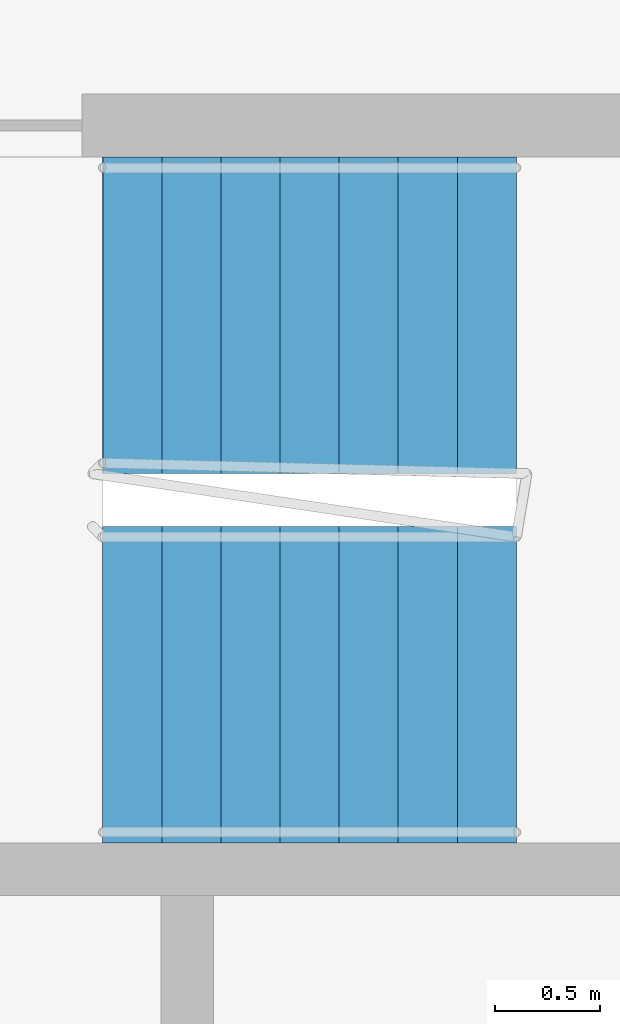
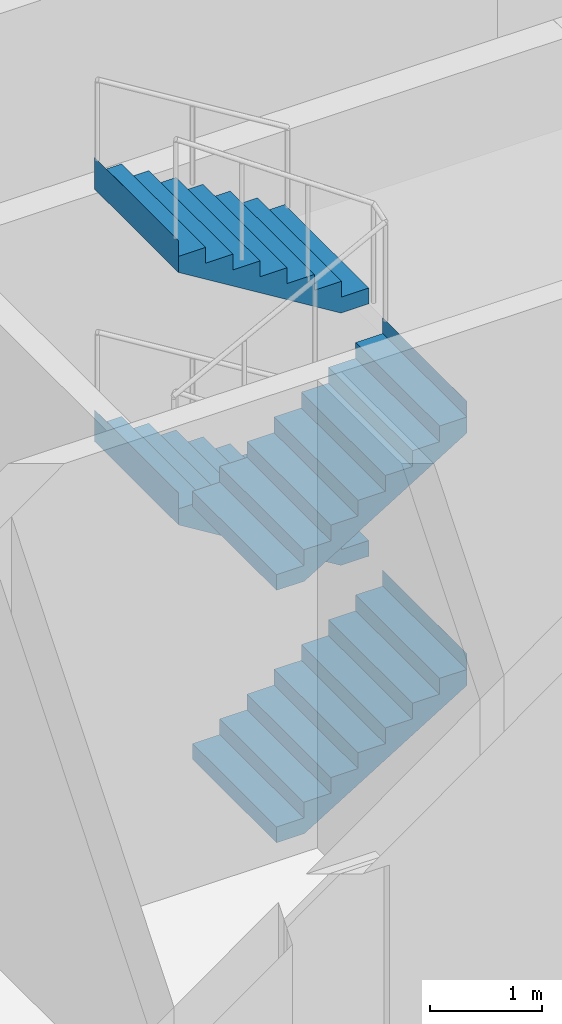
# One storey, part 13 of 16: 4 stair flights, 1 element without a shape of its own.
"""IFC4 building model written with IfcOpenShell, lengths in metres."""

from ifc_helpers import new_model, si_unit, direction, frame, origin, place, context, subcontext, project, spatial, faceted_brep, material, type_object, element, aggregate, save


model = new_model("IFC4")

# Units and contexts
model_context = context("Model", 3, precision=1e-05, world=origin(), true_north=direction((0.0, 1.0)))
body_context = subcontext(model_context, "Body", "Model", "MODEL_VIEW")
ifc_project = project(units=[si_unit("LENGTHUNIT", "METRE"), si_unit("AREAUNIT", "SQUARE_METRE"), si_unit("VOLUMEUNIT", "CUBIC_METRE"), si_unit("PLANEANGLEUNIT", "RADIAN"), si_unit("MASSUNIT", "GRAM", prefix="KILO")], contexts=[model_context])

# Site, building, storey
site_placement = place(None, origin())
site = spatial("IfcSite", under=ifc_project, at=site_placement, CompositionType="ELEMENT")
building_placement = place(site_placement, origin())
building = spatial("IfcBuilding", under=site, at=building_placement, Name="Kajstack Hotel Tower", CompositionType="ELEMENT")
storey_placement = place(building_placement, frame((0.0, 0.0, 308.10009765625)))
storey = spatial("IfcBuildingStorey", under=building, at=storey_placement, Name="L78", CompositionType="ELEMENT", Elevation=308.10009765625)

# Stair, stair flights
ifc_material = material(Name="Concrete C40/50", Category="concrete")
stair_type = type_object("IfcStairType", Name="Exit stair 1500", PredefinedType="HALF_TURN_STAIR", material=ifc_material)
stair_placement = place(storey_placement, origin())
stair = element("IfcStair", 1, at=stair_placement, inside=storey, type_object=stair_type, Name="L78 stair E3", PredefinedType="HALF_TURN_STAIR")
stair_flight_type = type_object("IfcStairFlightType", Name="Exit stair flight 1500", PredefinedType="STRAIGHT", material=ifc_material)
stair_flight_1_placement = place(storey_placement, frame((25.699951171875, 12.699951171875, 0.0), z_axis=(0.0, 0.0, 1.0), x_axis=(1.0, 0.0, 0.0)))
stair_flight_1 = element("IfcStairFlight", 2, at=stair_flight_1_placement, type_object=stair_flight_type, Name="E3 flight 1", NumberOfRisers=8, NumberOfTreads=7, PredefinedType="STRAIGHT", RiserHeight=0.171875, TreadLength=0.28, context=body_context, shape_type="Brep", body=[
    faceted_brep([(0.287109375, -0.75, 0.0), (1.96044921875, -0.75, 1.02734375), (1.96044921875, -0.75, 1.375), (1.9599609375, -0.75, 1.375), (1.9599609375, -0.75, 1.203125), (1.679931640625, -0.75, 1.203125), (1.679931640625, -0.75, 1.03125), (1.39990234375, -0.75, 1.03125), (1.39990234375, -0.75, 0.859375), (1.1201171875, -0.75, 0.859375), (1.1201171875, -0.75, 0.6875), (0.840087890625, -0.75, 0.6875), (0.840087890625, -0.75, 0.515625), (0.56005859375, -0.75, 0.515625), (0.56005859375, -0.75, 0.34375), (0.280029296875, -0.75, 0.34375), (0.280029296875, -0.75, 0.171875), (-0.00048828125, -0.75, 0.171875), (-0.00048828125, -0.75, 0.0), (-0.00048828125, 0.75, 0.0), (-0.00048828125, 0.75, 0.171875), (0.280029296875, 0.75, 0.171875), (0.280029296875, 0.75, 0.34375), (0.56005859375, 0.75, 0.34375), (0.56005859375, 0.75, 0.515625), (0.840087890625, 0.75, 0.515625), (0.840087890625, 0.75, 0.6875), (1.1201171875, 0.75, 0.6875), (1.1201171875, 0.75, 0.859375), (1.39990234375, 0.75, 0.859375), (1.39990234375, 0.75, 1.03125), (1.679931640625, 0.75, 1.03125), (1.679931640625, 0.75, 1.203125), (1.9599609375, 0.75, 1.203125), (1.9599609375, 0.75, 1.375), (1.96044921875, 0.75, 1.375), (1.96044921875, 0.75, 1.02734375), (0.287109375, 0.75, 0.0), (-0.00048828125, -0.375, 0.171875), (-0.00048828125, 0.0, 0.171875), (-0.00048828125, 0.375, 0.171875), (-0.00048828125, 0.375, 0.0), (-0.00048828125, 0.0, 0.0), (-0.00048828125, -0.375, 0.0), (0.280029296875, -0.375, 0.171875), (0.280029296875, 0.0, 0.171875), (0.280029296875, 0.375, 0.171875), (0.280029296875, -0.375, 0.34375), (0.280029296875, 0.0, 0.34375), (0.280029296875, 0.375, 0.34375), (0.56005859375, -0.375, 0.34375), (0.56005859375, 0.0, 0.34375), (0.56005859375, 0.375, 0.34375), (0.56005859375, -0.375, 0.515625), (0.56005859375, 0.0, 0.515625), (0.56005859375, 0.375, 0.515625), (0.840087890625, -0.375, 0.515625), (0.840087890625, 0.0, 0.515625), (0.840087890625, 0.375, 0.515625), (0.840087890625, -0.375, 0.6875), (0.840087890625, 0.0, 0.6875), (0.840087890625, 0.375, 0.6875), (1.1201171875, -0.375, 0.6875), (1.1201171875, 0.0, 0.6875), (1.1201171875, 0.375, 0.6875), (1.1201171875, -0.375, 0.859375), (1.1201171875, 0.0, 0.859375), (1.1201171875, 0.375, 0.859375), (1.39990234375, -0.375, 0.859375), (1.39990234375, 0.0, 0.859375), (1.39990234375, 0.375, 0.859375), (1.39990234375, -0.375, 1.03125), (1.39990234375, 0.0, 1.03125), (1.39990234375, 0.375, 1.03125), (1.679931640625, -0.375, 1.03125), (1.679931640625, 0.0, 1.03125), (1.679931640625, 0.375, 1.03125), (1.679931640625, -0.375, 1.203125), (1.679931640625, 0.0, 1.203125), (1.679931640625, 0.375, 1.203125), (1.9599609375, -0.375, 1.203125), (1.9599609375, 0.0, 1.203125), (1.9599609375, 0.375, 1.203125), (1.9599609375, -0.375, 1.375), (1.9599609375, 0.0, 1.375), (1.9599609375, 0.375, 1.375), (1.96044921875, -0.375, 1.375), (1.96044921875, 0.0, 1.375), (1.96044921875, 0.375, 1.375), (1.96044921875, -0.375, 1.02734375), (1.96044921875, 0.0, 1.02734375), (1.96044921875, 0.375, 1.02734375), (0.287109375, -0.375, 0.0), (0.287109375, 0.0, 0.0), (0.287109375, 0.375, 0.0)], [[[0, 1, 2, 3, 4, 5, 6, 7, 8, 9, 10, 11, 12, 13, 14, 15, 16, 17, 18]], [[19, 20, 21, 22, 23, 24, 25, 26, 27, 28, 29, 30, 31, 32, 33, 34, 35, 36, 37]], [[17, 38, 39, 40, 20, 19, 41, 42, 43, 18]], [[16, 44, 45, 46, 21, 20, 40, 39, 38, 17]], [[15, 47, 48, 49, 22, 21, 46, 45, 44, 16]], [[14, 50, 51, 52, 23, 22, 49, 48, 47, 15]], [[13, 53, 54, 55, 24, 23, 52, 51, 50, 14]], [[12, 56, 57, 58, 25, 24, 55, 54, 53, 13]], [[11, 59, 60, 61, 26, 25, 58, 57, 56, 12]], [[10, 62, 63, 64, 27, 26, 61, 60, 59, 11]], [[9, 65, 66, 67, 28, 27, 64, 63, 62, 10]], [[8, 68, 69, 70, 29, 28, 67, 66, 65, 9]], [[7, 71, 72, 73, 30, 29, 70, 69, 68, 8]], [[6, 74, 75, 76, 31, 30, 73, 72, 71, 7]], [[5, 77, 78, 79, 32, 31, 76, 75, 74, 6]], [[4, 80, 81, 82, 33, 32, 79, 78, 77, 5]], [[3, 83, 84, 85, 34, 33, 82, 81, 80, 4]], [[2, 86, 87, 88, 35, 34, 85, 84, 83, 3]], [[1, 89, 90, 91, 36, 35, 88, 87, 86, 2]], [[0, 92, 93, 94, 37, 36, 91, 90, 89, 1]], [[18, 43, 42, 41, 19, 37, 94, 93, 92, 0]]]),
])
stair_flight_2_placement = place(storey_placement, frame((27.659912109375, 14.449951171875, 1.375), z_axis=(0.0, 0.0, 1.0), x_axis=(-1.0, 0.0, 0.0)))
stair_flight_2 = element("IfcStairFlight", 3, at=stair_flight_2_placement, type_object=stair_flight_type, Name="E3 flight 2", NumberOfRisers=8, NumberOfTreads=7, PredefinedType="STRAIGHT", RiserHeight=0.171875, TreadLength=0.28, context=body_context, shape_type="Brep", body=[
    faceted_brep([(0.287109375, -0.75, 0.0), (1.96044921875, -0.75, 1.02734375), (1.96044921875, -0.75, 1.375), (1.9599609375, -0.75, 1.375), (1.9599609375, -0.75, 1.203125), (1.679931640625, -0.75, 1.203125), (1.679931640625, -0.75, 1.03125), (1.39990234375, -0.75, 1.03125), (1.39990234375, -0.75, 0.859375), (1.1201171875, -0.75, 0.859375), (1.1201171875, -0.75, 0.6875), (0.840087890625, -0.75, 0.6875), (0.840087890625, -0.75, 0.515625), (0.56005859375, -0.75, 0.515625), (0.56005859375, -0.75, 0.34375), (0.280029296875, -0.75, 0.34375), (0.280029296875, -0.75, 0.171875), (-0.00048828125, -0.75, 0.171875), (-0.00048828125, -0.75, 0.0), (-0.00048828125, 0.75, 0.0), (-0.00048828125, 0.75, 0.171875), (0.280029296875, 0.75, 0.171875), (0.280029296875, 0.75, 0.34375), (0.56005859375, 0.75, 0.34375), (0.56005859375, 0.75, 0.515625), (0.840087890625, 0.75, 0.515625), (0.840087890625, 0.75, 0.6875), (1.1201171875, 0.75, 0.6875), (1.1201171875, 0.75, 0.859375), (1.39990234375, 0.75, 0.859375), (1.39990234375, 0.75, 1.03125), (1.679931640625, 0.75, 1.03125), (1.679931640625, 0.75, 1.203125), (1.9599609375, 0.75, 1.203125), (1.9599609375, 0.75, 1.375), (1.96044921875, 0.75, 1.375), (1.96044921875, 0.75, 1.02734375), (0.287109375, 0.75, 0.0), (-0.00048828125, -0.375, 0.171875), (-0.00048828125, 0.0, 0.171875), (-0.00048828125, 0.375, 0.171875), (-0.00048828125, 0.375, 0.0), (-0.00048828125, 0.0, 0.0), (-0.00048828125, -0.375, 0.0), (0.280029296875, -0.375, 0.171875), (0.280029296875, 0.0, 0.171875), (0.280029296875, 0.375, 0.171875), (0.280029296875, -0.375, 0.34375), (0.280029296875, 0.0, 0.34375), (0.280029296875, 0.375, 0.34375), (0.56005859375, -0.375, 0.34375), (0.56005859375, 0.0, 0.34375), (0.56005859375, 0.375, 0.34375), (0.56005859375, -0.375, 0.515625), (0.56005859375, 0.0, 0.515625), (0.56005859375, 0.375, 0.515625), (0.840087890625, -0.375, 0.515625), (0.840087890625, 0.0, 0.515625), (0.840087890625, 0.375, 0.515625), (0.840087890625, -0.375, 0.6875), (0.840087890625, 0.0, 0.6875), (0.840087890625, 0.375, 0.6875), (1.1201171875, -0.375, 0.6875), (1.1201171875, 0.0, 0.6875), (1.1201171875, 0.375, 0.6875), (1.1201171875, -0.375, 0.859375), (1.1201171875, 0.0, 0.859375), (1.1201171875, 0.375, 0.859375), (1.39990234375, -0.375, 0.859375), (1.39990234375, 0.0, 0.859375), (1.39990234375, 0.375, 0.859375), (1.39990234375, -0.375, 1.03125), (1.39990234375, 0.0, 1.03125), (1.39990234375, 0.375, 1.03125), (1.679931640625, -0.375, 1.03125), (1.679931640625, 0.0, 1.03125), (1.679931640625, 0.375, 1.03125), (1.679931640625, -0.375, 1.203125), (1.679931640625, 0.0, 1.203125), (1.679931640625, 0.375, 1.203125), (1.9599609375, -0.375, 1.203125), (1.9599609375, 0.0, 1.203125), (1.9599609375, 0.375, 1.203125), (1.9599609375, -0.375, 1.375), (1.9599609375, 0.0, 1.375), (1.9599609375, 0.375, 1.375), (1.96044921875, -0.375, 1.375), (1.96044921875, 0.0, 1.375), (1.96044921875, 0.375, 1.375), (1.96044921875, -0.375, 1.02734375), (1.96044921875, 0.0, 1.02734375), (1.96044921875, 0.375, 1.02734375), (0.287109375, -0.375, 0.0), (0.287109375, 0.0, 0.0), (0.287109375, 0.375, 0.0)], [[[0, 1, 2, 3, 4, 5, 6, 7, 8, 9, 10, 11, 12, 13, 14, 15, 16, 17, 18]], [[19, 20, 21, 22, 23, 24, 25, 26, 27, 28, 29, 30, 31, 32, 33, 34, 35, 36, 37]], [[17, 38, 39, 40, 20, 19, 41, 42, 43, 18]], [[16, 44, 45, 46, 21, 20, 40, 39, 38, 17]], [[15, 47, 48, 49, 22, 21, 46, 45, 44, 16]], [[14, 50, 51, 52, 23, 22, 49, 48, 47, 15]], [[13, 53, 54, 55, 24, 23, 52, 51, 50, 14]], [[12, 56, 57, 58, 25, 24, 55, 54, 53, 13]], [[11, 59, 60, 61, 26, 25, 58, 57, 56, 12]], [[10, 62, 63, 64, 27, 26, 61, 60, 59, 11]], [[9, 65, 66, 67, 28, 27, 64, 63, 62, 10]], [[8, 68, 69, 70, 29, 28, 67, 66, 65, 9]], [[7, 71, 72, 73, 30, 29, 70, 69, 68, 8]], [[6, 74, 75, 76, 31, 30, 73, 72, 71, 7]], [[5, 77, 78, 79, 32, 31, 76, 75, 74, 6]], [[4, 80, 81, 82, 33, 32, 79, 78, 77, 5]], [[3, 83, 84, 85, 34, 33, 82, 81, 80, 4]], [[2, 86, 87, 88, 35, 34, 85, 84, 83, 3]], [[1, 89, 90, 91, 36, 35, 88, 87, 86, 2]], [[0, 92, 93, 94, 37, 36, 91, 90, 89, 1]], [[18, 43, 42, 41, 19, 37, 94, 93, 92, 0]]]),
])
stair_flight_3_placement = place(storey_placement, frame((25.699951171875, 12.699951171875, 2.75), z_axis=(0.0, 0.0, 1.0), x_axis=(1.0, 0.0, 0.0)))
stair_flight_3 = element("IfcStairFlight", 4, at=stair_flight_3_placement, type_object=stair_flight_type, Name="E3 flight 3", NumberOfRisers=8, NumberOfTreads=7, PredefinedType="STRAIGHT", RiserHeight=0.171875, TreadLength=0.28, context=body_context, shape_type="Brep", body=[
    faceted_brep([(0.287109375, -0.75, 0.0), (1.96044921875, -0.75, 1.02734375), (1.96044921875, -0.75, 1.375), (1.9599609375, -0.75, 1.375), (1.9599609375, -0.75, 1.203125), (1.679931640625, -0.75, 1.203125), (1.679931640625, -0.75, 1.03125), (1.39990234375, -0.75, 1.03125), (1.39990234375, -0.75, 0.859375), (1.1201171875, -0.75, 0.859375), (1.1201171875, -0.75, 0.6875), (0.840087890625, -0.75, 0.6875), (0.840087890625, -0.75, 0.515625), (0.56005859375, -0.75, 0.515625), (0.56005859375, -0.75, 0.34375), (0.280029296875, -0.75, 0.34375), (0.280029296875, -0.75, 0.171875), (-0.00048828125, -0.75, 0.171875), (-0.00048828125, -0.75, 0.0), (-0.00048828125, 0.75, 0.0), (-0.00048828125, 0.75, 0.171875), (0.280029296875, 0.75, 0.171875), (0.280029296875, 0.75, 0.34375), (0.56005859375, 0.75, 0.34375), (0.56005859375, 0.75, 0.515625), (0.840087890625, 0.75, 0.515625), (0.840087890625, 0.75, 0.6875), (1.1201171875, 0.75, 0.6875), (1.1201171875, 0.75, 0.859375), (1.39990234375, 0.75, 0.859375), (1.39990234375, 0.75, 1.03125), (1.679931640625, 0.75, 1.03125), (1.679931640625, 0.75, 1.203125), (1.9599609375, 0.75, 1.203125), (1.9599609375, 0.75, 1.375), (1.96044921875, 0.75, 1.375), (1.96044921875, 0.75, 1.02734375), (0.287109375, 0.75, 0.0), (-0.00048828125, -0.375, 0.171875), (-0.00048828125, 0.0, 0.171875), (-0.00048828125, 0.375, 0.171875), (-0.00048828125, 0.375, 0.0), (-0.00048828125, 0.0, 0.0), (-0.00048828125, -0.375, 0.0), (0.280029296875, -0.375, 0.171875), (0.280029296875, 0.0, 0.171875), (0.280029296875, 0.375, 0.171875), (0.280029296875, -0.375, 0.34375), (0.280029296875, 0.0, 0.34375), (0.280029296875, 0.375, 0.34375), (0.56005859375, -0.375, 0.34375), (0.56005859375, 0.0, 0.34375), (0.56005859375, 0.375, 0.34375), (0.56005859375, -0.375, 0.515625), (0.56005859375, 0.0, 0.515625), (0.56005859375, 0.375, 0.515625), (0.840087890625, -0.375, 0.515625), (0.840087890625, 0.0, 0.515625), (0.840087890625, 0.375, 0.515625), (0.840087890625, -0.375, 0.6875), (0.840087890625, 0.0, 0.6875), (0.840087890625, 0.375, 0.6875), (1.1201171875, -0.375, 0.6875), (1.1201171875, 0.0, 0.6875), (1.1201171875, 0.375, 0.6875), (1.1201171875, -0.375, 0.859375), (1.1201171875, 0.0, 0.859375), (1.1201171875, 0.375, 0.859375), (1.39990234375, -0.375, 0.859375), (1.39990234375, 0.0, 0.859375), (1.39990234375, 0.375, 0.859375), (1.39990234375, -0.375, 1.03125), (1.39990234375, 0.0, 1.03125), (1.39990234375, 0.375, 1.03125), (1.679931640625, -0.375, 1.03125), (1.679931640625, 0.0, 1.03125), (1.679931640625, 0.375, 1.03125), (1.679931640625, -0.375, 1.203125), (1.679931640625, 0.0, 1.203125), (1.679931640625, 0.375, 1.203125), (1.9599609375, -0.375, 1.203125), (1.9599609375, 0.0, 1.203125), (1.9599609375, 0.375, 1.203125), (1.9599609375, -0.375, 1.375), (1.9599609375, 0.0, 1.375), (1.9599609375, 0.375, 1.375), (1.96044921875, -0.375, 1.375), (1.96044921875, 0.0, 1.375), (1.96044921875, 0.375, 1.375), (1.96044921875, -0.375, 1.02734375), (1.96044921875, 0.0, 1.02734375), (1.96044921875, 0.375, 1.02734375), (0.287109375, -0.375, 0.0), (0.287109375, 0.0, 0.0), (0.287109375, 0.375, 0.0)], [[[0, 1, 2, 3, 4, 5, 6, 7, 8, 9, 10, 11, 12, 13, 14, 15, 16, 17, 18]], [[19, 20, 21, 22, 23, 24, 25, 26, 27, 28, 29, 30, 31, 32, 33, 34, 35, 36, 37]], [[17, 38, 39, 40, 20, 19, 41, 42, 43, 18]], [[16, 44, 45, 46, 21, 20, 40, 39, 38, 17]], [[15, 47, 48, 49, 22, 21, 46, 45, 44, 16]], [[14, 50, 51, 52, 23, 22, 49, 48, 47, 15]], [[13, 53, 54, 55, 24, 23, 52, 51, 50, 14]], [[12, 56, 57, 58, 25, 24, 55, 54, 53, 13]], [[11, 59, 60, 61, 26, 25, 58, 57, 56, 12]], [[10, 62, 63, 64, 27, 26, 61, 60, 59, 11]], [[9, 65, 66, 67, 28, 27, 64, 63, 62, 10]], [[8, 68, 69, 70, 29, 28, 67, 66, 65, 9]], [[7, 71, 72, 73, 30, 29, 70, 69, 68, 8]], [[6, 74, 75, 76, 31, 30, 73, 72, 71, 7]], [[5, 77, 78, 79, 32, 31, 76, 75, 74, 6]], [[4, 80, 81, 82, 33, 32, 79, 78, 77, 5]], [[3, 83, 84, 85, 34, 33, 82, 81, 80, 4]], [[2, 86, 87, 88, 35, 34, 85, 84, 83, 3]], [[1, 89, 90, 91, 36, 35, 88, 87, 86, 2]], [[0, 92, 93, 94, 37, 36, 91, 90, 89, 1]], [[18, 43, 42, 41, 19, 37, 94, 93, 92, 0]]]),
])
stair_flight_4_placement = place(storey_placement, frame((27.659912109375, 14.449951171875, 4.125), z_axis=(0.0, 0.0, 1.0), x_axis=(-1.0, 0.0, 0.0)))
stair_flight_4 = element("IfcStairFlight", 5, at=stair_flight_4_placement, type_object=stair_flight_type, Name="E3 flight 4", NumberOfRisers=8, NumberOfTreads=7, PredefinedType="STRAIGHT", RiserHeight=0.171875, TreadLength=0.28, context=body_context, shape_type="Brep", body=[
    faceted_brep([(0.287109375, -0.75, 0.0), (1.96044921875, -0.75, 1.02734375), (1.96044921875, -0.75, 1.375), (1.9599609375, -0.75, 1.375), (1.9599609375, -0.75, 1.203125), (1.679931640625, -0.75, 1.203125), (1.679931640625, -0.75, 1.03125), (1.39990234375, -0.75, 1.03125), (1.39990234375, -0.75, 0.859375), (1.1201171875, -0.75, 0.859375), (1.1201171875, -0.75, 0.6875), (0.840087890625, -0.75, 0.6875), (0.840087890625, -0.75, 0.515625), (0.56005859375, -0.75, 0.515625), (0.56005859375, -0.75, 0.34375), (0.280029296875, -0.75, 0.34375), (0.280029296875, -0.75, 0.171875), (-0.00048828125, -0.75, 0.171875), (-0.00048828125, -0.75, 0.0), (-0.00048828125, 0.75, 0.0), (-0.00048828125, 0.75, 0.171875), (0.280029296875, 0.75, 0.171875), (0.280029296875, 0.75, 0.34375), (0.56005859375, 0.75, 0.34375), (0.56005859375, 0.75, 0.515625), (0.840087890625, 0.75, 0.515625), (0.840087890625, 0.75, 0.6875), (1.1201171875, 0.75, 0.6875), (1.1201171875, 0.75, 0.859375), (1.39990234375, 0.75, 0.859375), (1.39990234375, 0.75, 1.03125), (1.679931640625, 0.75, 1.03125), (1.679931640625, 0.75, 1.203125), (1.9599609375, 0.75, 1.203125), (1.9599609375, 0.75, 1.375), (1.96044921875, 0.75, 1.375), (1.96044921875, 0.75, 1.02734375), (0.287109375, 0.75, 0.0), (-0.00048828125, -0.375, 0.171875), (-0.00048828125, 0.0, 0.171875), (-0.00048828125, 0.375, 0.171875), (-0.00048828125, 0.375, 0.0), (-0.00048828125, 0.0, 0.0), (-0.00048828125, -0.375, 0.0), (0.280029296875, -0.375, 0.171875), (0.280029296875, 0.0, 0.171875), (0.280029296875, 0.375, 0.171875), (0.280029296875, -0.375, 0.34375), (0.280029296875, 0.0, 0.34375), (0.280029296875, 0.375, 0.34375), (0.56005859375, -0.375, 0.34375), (0.56005859375, 0.0, 0.34375), (0.56005859375, 0.375, 0.34375), (0.56005859375, -0.375, 0.515625), (0.56005859375, 0.0, 0.515625), (0.56005859375, 0.375, 0.515625), (0.840087890625, -0.375, 0.515625), (0.840087890625, 0.0, 0.515625), (0.840087890625, 0.375, 0.515625), (0.840087890625, -0.375, 0.6875), (0.840087890625, 0.0, 0.6875), (0.840087890625, 0.375, 0.6875), (1.1201171875, -0.375, 0.6875), (1.1201171875, 0.0, 0.6875), (1.1201171875, 0.375, 0.6875), (1.1201171875, -0.375, 0.859375), (1.1201171875, 0.0, 0.859375), (1.1201171875, 0.375, 0.859375), (1.39990234375, -0.375, 0.859375), (1.39990234375, 0.0, 0.859375), (1.39990234375, 0.375, 0.859375), (1.39990234375, -0.375, 1.03125), (1.39990234375, 0.0, 1.03125), (1.39990234375, 0.375, 1.03125), (1.679931640625, -0.375, 1.03125), (1.679931640625, 0.0, 1.03125), (1.679931640625, 0.375, 1.03125), (1.679931640625, -0.375, 1.203125), (1.679931640625, 0.0, 1.203125), (1.679931640625, 0.375, 1.203125), (1.9599609375, -0.375, 1.203125), (1.9599609375, 0.0, 1.203125), (1.9599609375, 0.375, 1.203125), (1.9599609375, -0.375, 1.375), (1.9599609375, 0.0, 1.375), (1.9599609375, 0.375, 1.375), (1.96044921875, -0.375, 1.375), (1.96044921875, 0.0, 1.375), (1.96044921875, 0.375, 1.375), (1.96044921875, -0.375, 1.02734375), (1.96044921875, 0.0, 1.02734375), (1.96044921875, 0.375, 1.02734375), (0.287109375, -0.375, 0.0), (0.287109375, 0.0, 0.0), (0.287109375, 0.375, 0.0)], [[[0, 1, 2, 3, 4, 5, 6, 7, 8, 9, 10, 11, 12, 13, 14, 15, 16, 17, 18]], [[19, 20, 21, 22, 23, 24, 25, 26, 27, 28, 29, 30, 31, 32, 33, 34, 35, 36, 37]], [[17, 38, 39, 40, 20, 19, 41, 42, 43, 18]], [[16, 44, 45, 46, 21, 20, 40, 39, 38, 17]], [[15, 47, 48, 49, 22, 21, 46, 45, 44, 16]], [[14, 50, 51, 52, 23, 22, 49, 48, 47, 15]], [[13, 53, 54, 55, 24, 23, 52, 51, 50, 14]], [[12, 56, 57, 58, 25, 24, 55, 54, 53, 13]], [[11, 59, 60, 61, 26, 25, 58, 57, 56, 12]], [[10, 62, 63, 64, 27, 26, 61, 60, 59, 11]], [[9, 65, 66, 67, 28, 27, 64, 63, 62, 10]], [[8, 68, 69, 70, 29, 28, 67, 66, 65, 9]], [[7, 71, 72, 73, 30, 29, 70, 69, 68, 8]], [[6, 74, 75, 76, 31, 30, 73, 72, 71, 7]], [[5, 77, 78, 79, 32, 31, 76, 75, 74, 6]], [[4, 80, 81, 82, 33, 32, 79, 78, 77, 5]], [[3, 83, 84, 85, 34, 33, 82, 81, 80, 4]], [[2, 86, 87, 88, 35, 34, 85, 84, 83, 3]], [[1, 89, 90, 91, 36, 35, 88, 87, 86, 2]], [[0, 92, 93, 94, 37, 36, 91, 90, 89, 1]], [[18, 43, 42, 41, 19, 37, 94, 93, 92, 0]]]),
])
aggregate(stair, [stair_flight_1, stair_flight_2, stair_flight_3, stair_flight_4])

save(model, "model.ifc")
